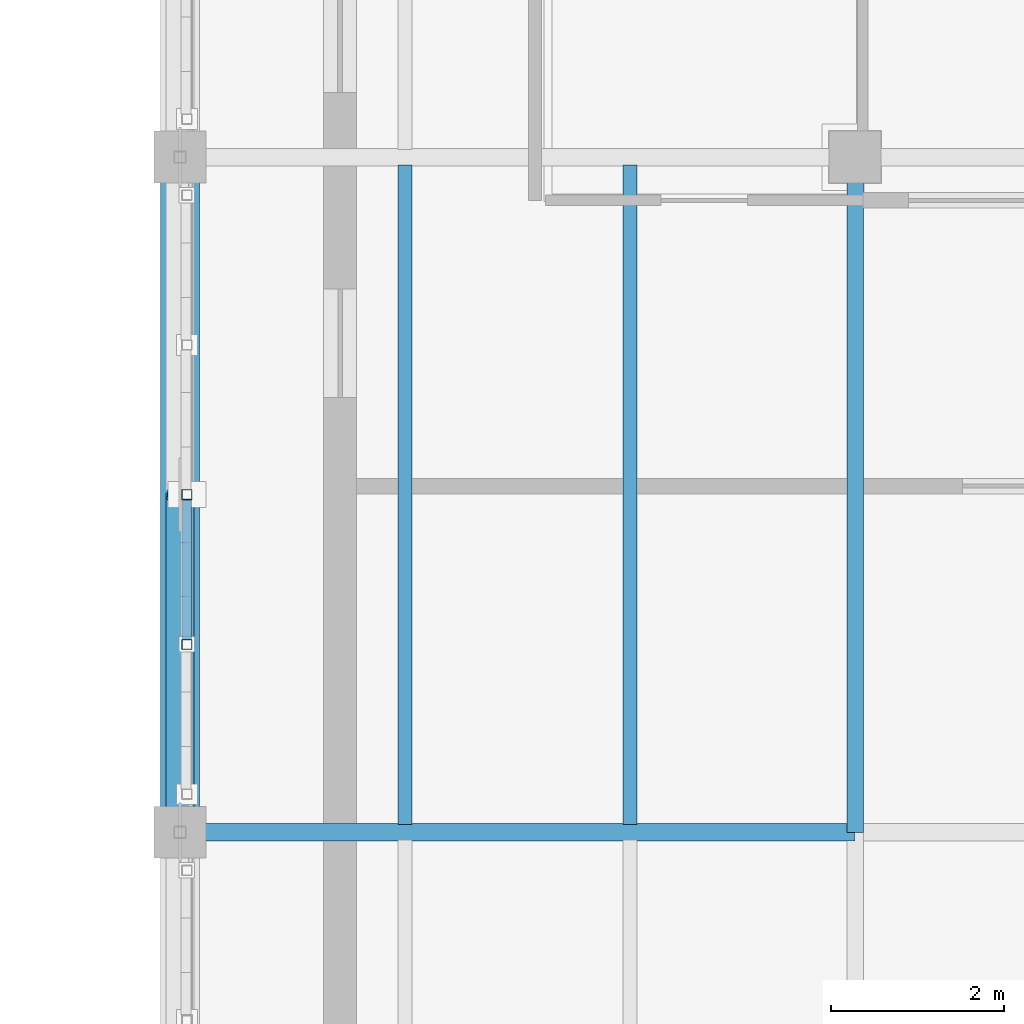
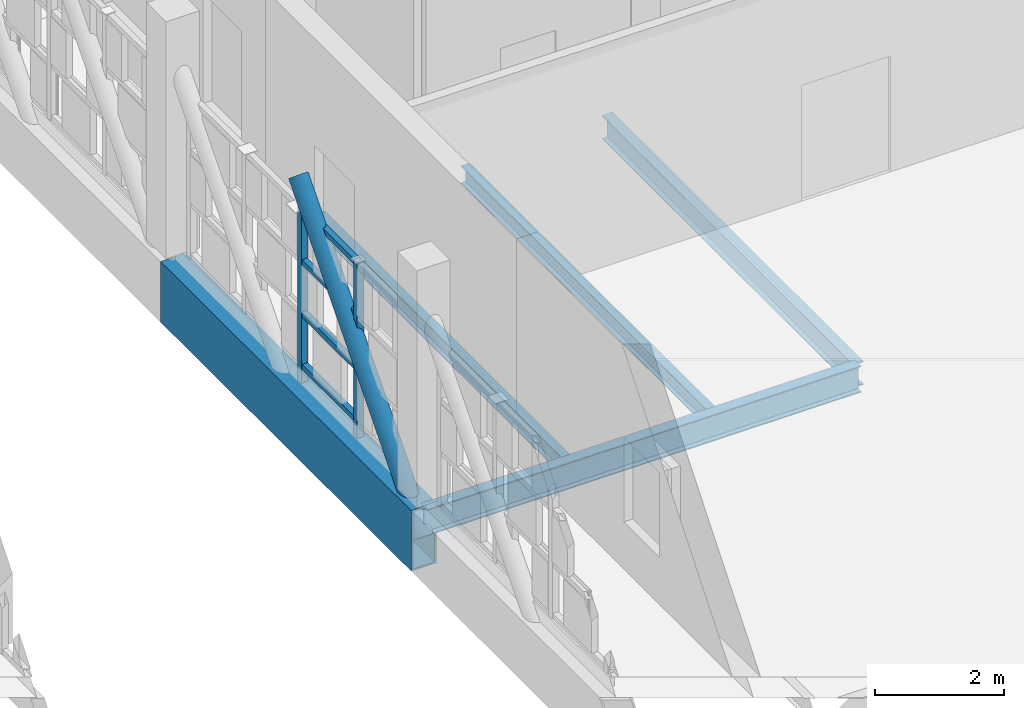
# One storey, part 26 of 119: 7 members, 5 beams.
"""IFC4 building model written with IfcOpenShell, lengths in metres."""

from ifc_helpers import new_model, si_unit, direction, frame, origin, origin_2d, place, context, subcontext, project, spatial, hollow_rectangle, hollow_circle, i_section, extrude, material, material_profile, profile_set, type_object, element, save


model = new_model("IFC4")

# Units and contexts
model_context = context("Model", 3, precision=1e-05, world=origin(), true_north=direction((0.0, 1.0)))
body_context = subcontext(model_context, "Body", "Model", "MODEL_VIEW")
ifc_project = project(units=[si_unit("LENGTHUNIT", "METRE"), si_unit("AREAUNIT", "SQUARE_METRE"), si_unit("VOLUMEUNIT", "CUBIC_METRE"), si_unit("PLANEANGLEUNIT", "RADIAN"), si_unit("MASSUNIT", "GRAM", prefix="KILO")], contexts=[model_context])

# Site, building, storey
site_placement = place(None, origin())
site = spatial("IfcSite", under=ifc_project, at=site_placement, CompositionType="ELEMENT")
building_placement = place(site_placement, origin())
building = spatial("IfcBuilding", under=site, at=building_placement, Name="Celorna Specialist Clinic", CompositionType="ELEMENT")
storey_placement = place(building_placement, frame((0.0, 0.0, 9.60009765625)))
storey = spatial("IfcBuildingStorey", under=building, at=storey_placement, Name="L02", CompositionType="ELEMENT", Elevation=9.60009765625)

# Beams
ifc_material = material(Name="Steel S355", Category="steel")
ifc_material_profile_1 = material_profile(ifc_material, hollow_rectangle(XDim=0.449951171875, YDim=1.14990234375, WallThickness=0.031982421875, at=origin_2d()), Name="BOX 450x1150x32")
ifc_profile_set_1 = profile_set([ifc_material_profile_1], Name="Steel S355")
beam_type_1 = type_object("IfcBeamType", Name="BM-01", PredefinedType="BEAM", material=ifc_profile_set_1)
beam_1_placement = place(storey_placement, frame((54.60009765625, 27.300048828125, -0.835205078125), z_axis=(0.0, 1.0, 0.0), x_axis=(-1.0, 0.0, 0.0)))
element("IfcBeam", 1, at=beam_1_placement, inside=storey, type_object=beam_type_1, Name="Cantilever Pratt truss chord WP-003-WP-004", PredefinedType="BEAM", context=body_context, shape_type="SweptSolid", body=[
    extrude(hollow_rectangle(XDim=0.449951171875, YDim=1.14990234375, WallThickness=0.031982421875, at=origin_2d()), origin(), (0.0, 0.0, 1.0), 7.800048828125),
])
ifc_material_profile_2 = material_profile(ifc_material, i_section(OverallWidth=0.199951171875, OverallDepth=0.5, WebThickness=0.01025390625, FlangeThickness=0.01611328125, at=origin_2d()), Name="IPE 500")
ifc_profile_set_2 = profile_set([ifc_material_profile_2], Name="Steel S355")
beam_type_2 = type_object("IfcBeamType", Name="BM-08", PredefinedType="BEAM", material=ifc_profile_set_2)
beam_2_placement = place(storey_placement, frame((54.60009765625, 27.300048828125, -0.510009765625), z_axis=(1.0, 0.0, 0.0), x_axis=(0.0, 1.0, 0.0)))
element("IfcBeam", 2, at=beam_2_placement, inside=storey, type_object=beam_type_2, Name="Primary girder BM-08 #2113", PredefinedType="BEAM", context=body_context, shape_type="SweptSolid", body=[
    extrude(i_section(OverallWidth=0.199951171875, OverallDepth=0.5, WebThickness=0.01025390625, FlangeThickness=0.01611328125, at=origin_2d()), origin(), (0.0, 0.0, 1.0), 7.7998046875),
])
ifc_material_profile_3 = material_profile(ifc_material, i_section(OverallWidth=0.18994140625, OverallDepth=0.449951171875, WebThickness=0.009521484375, FlangeThickness=0.0146484375, at=origin_2d()), Name="IPE 450")
ifc_profile_set_3 = profile_set([ifc_material_profile_3], Name="Steel S355")
beam_type_3 = type_object("IfcBeamType", Name="BM-09", PredefinedType="BEAM", material=ifc_profile_set_3)
beam_3_placement = place(storey_placement, frame((62.39990234375, 27.300048828125, -0.485107421875), z_axis=(0.0, 1.0, 0.0), x_axis=(-1.0, 0.0, 0.0)))
element("IfcBeam", 3, at=beam_3_placement, inside=storey, type_object=beam_type_3, Name="Transverse girder BM-09 #2127", PredefinedType="BEAM", context=body_context, shape_type="SweptSolid", body=[
    extrude(i_section(OverallWidth=0.18994140625, OverallDepth=0.449951171875, WebThickness=0.009521484375, FlangeThickness=0.0146484375, at=origin_2d()), origin(), (0.0, 0.0, 1.0), 7.800048828125),
])
ifc_material_profile_4 = material_profile(ifc_material, i_section(OverallWidth=0.159912109375, OverallDepth=0.330078125, WebThickness=0.007568359375, FlangeThickness=0.011474609375, at=origin_2d()), Name="IPE 330")
ifc_profile_set_4 = profile_set([ifc_material_profile_4], Name="Steel S355")
beam_type_4 = type_object("IfcBeamType", Name="BM-12", PredefinedType="JOIST", material=ifc_profile_set_4)
for number, where, z_axis, x_axis, name in (
    (4, (57.199951171875, 27.387939453125, -0.425048828125), (0.0, 1.0, 0.0), (-1.0, 0.0, 0.0), "Secondary floor joist BM-12 #2138"),
    (5, (59.800048828125, 27.387939453125, -0.425048828125), (0.0, 1.0, 0.0), (-1.0, 0.0, 0.0), "Secondary floor joist BM-12 #2139"),
):
    element("IfcBeam", number, at=place(storey_placement, frame(where, z_axis=z_axis, x_axis=x_axis)), inside=storey, type_object=beam_type_4, Name=name, PredefinedType="JOIST", context=body_context, shape_type="SweptSolid", body=[
        extrude(i_section(OverallWidth=0.159912109375, OverallDepth=0.330078125, WebThickness=0.007568359375, FlangeThickness=0.011474609375, at=origin_2d()), origin(), (0.0, 0.0, 1.0), 7.6240234375),
    ])

# Members
ifc_material_profile_5 = material_profile(ifc_material, hollow_circle(Radius=0.161865234375, WallThickness=0.01611328125, at=origin_2d()), Name="CHS 323.9x16")
ifc_profile_set_5 = profile_set([ifc_material_profile_5], Name="Steel S355")
member_type_1 = type_object("IfcMemberType", Name="MB-05", PredefinedType="BRACE", material=ifc_profile_set_5)
member_placement = place(storey_placement, frame((54.60009765625, 27.300048828125, -0.835205078125), z_axis=(0.0, 0.654921173069, 0.755697199324), x_axis=(-1.0, 0.0, 0.0)))
element("IfcMember", 6, at=member_placement, inside=storey, type_object=member_type_1, Name="Cantilever Pratt truss web diagonal WP-003-WP-024", PredefinedType="BRACE", context=body_context, shape_type="SweptSolid", body=[
    extrude(hollow_circle(Radius=0.161865234375, WallThickness=0.01611328125, at=origin_2d()), origin(), (0.0, 0.0, 1.0), 5.954833984375),
])
ifc_material_profile_6 = material_profile(ifc_material, hollow_rectangle(XDim=0.1201171875, YDim=0.1201171875, WallThickness=0.008056640625, at=origin_2d()), Name="SHS 120x120x8")
ifc_profile_set_6 = profile_set([ifc_material_profile_6], Name="Steel S355")
member_type_2 = type_object("IfcMemberType", Name="MB-11", PredefinedType="STUD", material=ifc_profile_set_6)
for number, where, z_axis, x_axis, name in (
    (7, (54.679931640625, 29.469970703125, -0.360107421875), (0.0, 0.0, 1.0), (1.0, 0.0, 0.0), "Perforated screen steel post #216"),
    (8, (54.679931640625, 31.199951171875, -0.360107421875), (0.0, 0.0, 1.0), (1.0, 0.0, 0.0), "Perforated screen steel post #217"),
):
    element("IfcMember", number, at=place(storey_placement, frame(where, z_axis=z_axis, x_axis=x_axis)), inside=storey, type_object=member_type_2, Name=name, PredefinedType="STUD", context=body_context, shape_type="SweptSolid", body=[
        extrude(hollow_rectangle(XDim=0.1201171875, YDim=0.1201171875, WallThickness=0.008056640625, at=origin_2d()), origin(), (0.0, 0.0, 1.0), 3.43994140625),
    ])
ifc_material_profile_7 = material_profile(ifc_material, hollow_rectangle(XDim=0.10009765625, YDim=0.10009765625, WallThickness=0.006103515625, at=origin_2d()), Name="SHS 100x100x6")
ifc_profile_set_7 = profile_set([ifc_material_profile_7], Name="Steel S355")
member_type_3 = type_object("IfcMemberType", Name="MB-12", PredefinedType="STUD", material=ifc_profile_set_7)
for number, where, z_axis, x_axis, name in (
    (9, (54.679931640625, 29.530029296875, 0.0498046875), (0.0, 1.0, 0.0), (-1.0, 0.0, 0.0), "Perforated screen rail #224"),
    (10, (54.679931640625, 29.530029296875, 1.043212890625), (0.0, 1.0, 0.0), (-1.0, 0.0, 0.0), "Perforated screen rail #225"),
    (11, (54.679931640625, 29.530029296875, 2.03662109375), (0.0, 1.0, 0.0), (-1.0, 0.0, 0.0), "Perforated screen rail #226"),
    (12, (54.679931640625, 29.530029296875, 3.02978515625), (0.0, 1.0, 0.0), (-1.0, 0.0, 0.0), "Perforated screen rail #227"),
):
    element("IfcMember", number, at=place(storey_placement, frame(where, z_axis=z_axis, x_axis=x_axis)), inside=storey, type_object=member_type_3, Name=name, PredefinedType="STUD", context=body_context, shape_type="SweptSolid", body=[
        extrude(hollow_rectangle(XDim=0.10009765625, YDim=0.10009765625, WallThickness=0.006103515625, at=origin_2d()), origin(), (0.0, 0.0, 1.0), 1.60986328125),
    ])

save(model, "model.ifc")
